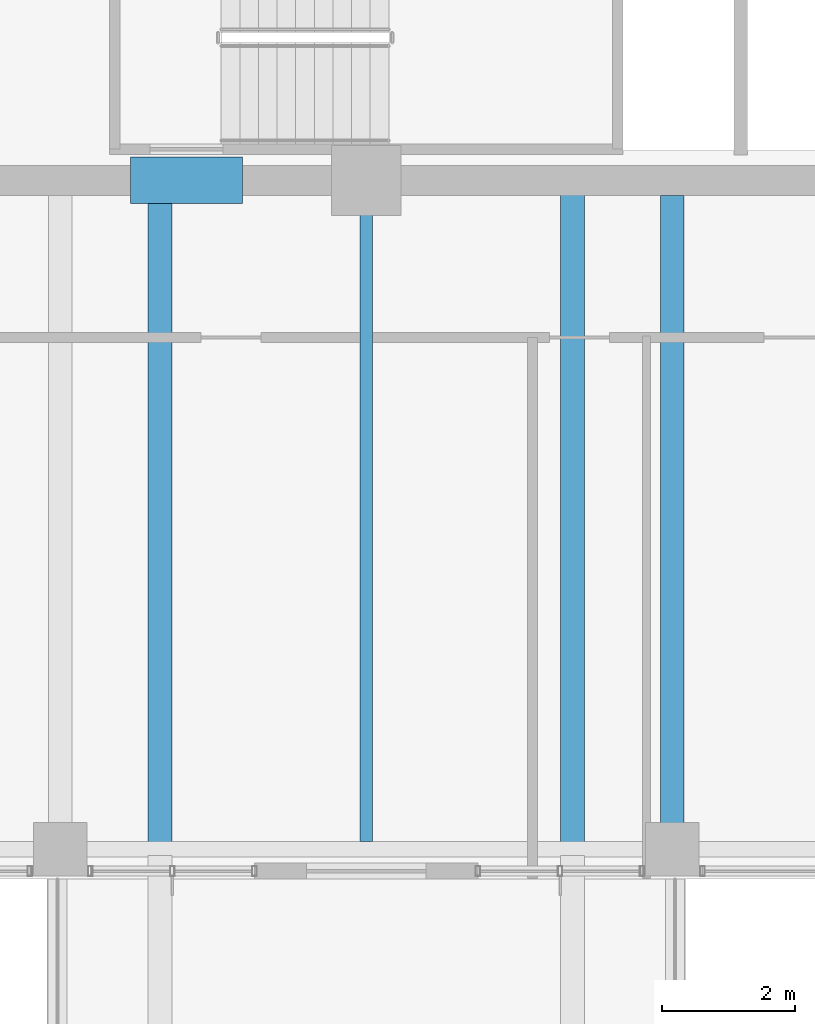
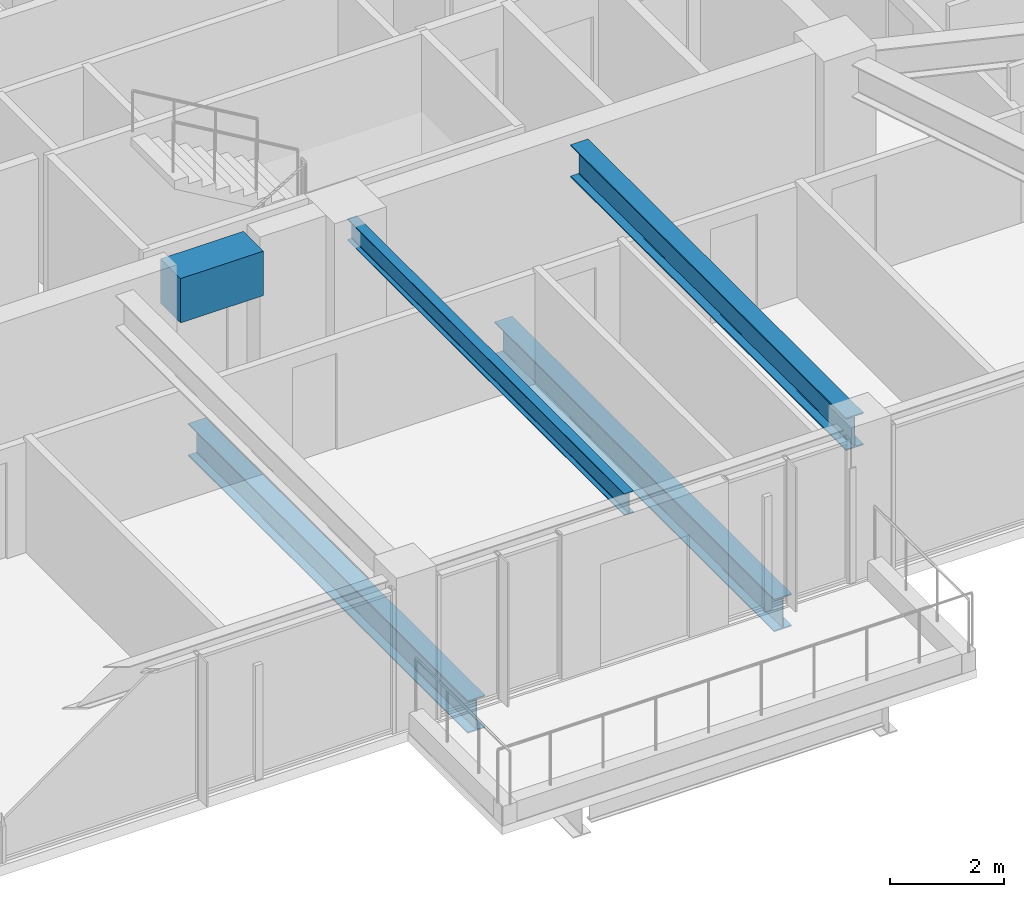
# One storey, part 8 of 36: 5 beams.
"""IFC4 building model written with IfcOpenShell, lengths in metres."""

from ifc_helpers import new_model, si_unit, direction, frame, origin, origin_2d, place, context, subcontext, project, spatial, rectangle, i_section, extrude, material, material_profile, profile_set, type_object, element, save


model = new_model("IFC4")

# Units and contexts
model_context = context("Model", 3, precision=1e-05, world=origin(), true_north=direction((0.0, 1.0)))
body_context = subcontext(model_context, "Body", "Model", "MODEL_VIEW")
ifc_project = project(units=[si_unit("LENGTHUNIT", "METRE"), si_unit("AREAUNIT", "SQUARE_METRE"), si_unit("VOLUMEUNIT", "CUBIC_METRE"), si_unit("PLANEANGLEUNIT", "RADIAN"), si_unit("MASSUNIT", "GRAM", prefix="KILO")], contexts=[model_context])

# Site, building, storey
site_placement = place(None, origin())
site = spatial("IfcSite", under=ifc_project, at=site_placement, CompositionType="ELEMENT")
building_placement = place(site_placement, origin())
building = spatial("IfcBuilding", under=site, at=building_placement, Name="Kolvaren Belvedere", CompositionType="ELEMENT")
storey_placement = place(building_placement, frame((0.0, 0.0, 226.199951171875)))
storey = spatial("IfcBuildingStorey", under=building, at=storey_placement, Name="L66", CompositionType="ELEMENT", Elevation=226.199951171875)

# Beams
ifc_material_1 = material(Name="Structural steel ASTM A992 Grade 50", Category="steel")
ifc_material_profile_1 = material_profile(ifc_material_1, i_section(OverallWidth=0.35498046875, OverallDepth=0.696044921875, WebThickness=0.015380859375, FlangeThickness=0.02490234375, FilletRadius=0.02197265625, at=origin_2d()), Name="W27X146")
ifc_profile_set_1 = profile_set([ifc_material_profile_1], Name="Structural steel ASTM A992 Grade 50")
beam_type_1 = type_object("IfcBeamType", Name="BM-GIRD-W27X146", PredefinedType="BEAM", material=ifc_profile_set_1)
for number, where, z_axis, x_axis, name in (
    (1, (-3.10009765625, -10.06494140625, -0.56787109375), (0.0, -1.0, 0.0), (1.0, 0.0, 0.0), "L66 Balcony Interior Back-Span Girder SPIRAL-10-S-1"),
    (2, (3.10009765625, -10.06494140625, -0.56787109375), (0.0, -1.0, 0.0), (1.0, 0.0, 0.0), "L66 Balcony Interior Back-Span Girder SPIRAL-10-S-2"),
):
    element("IfcBeam", number, at=place(storey_placement, frame(where, z_axis=z_axis, x_axis=x_axis)), inside=storey, type_object=beam_type_1, Name=name, PredefinedType="BEAM", context=body_context, shape_type="SweptSolid", body=[
        extrude(i_section(OverallWidth=0.35498046875, OverallDepth=0.696044921875, WebThickness=0.015380859375, FlangeThickness=0.02490234375, FilletRadius=0.02197265625, at=origin_2d()), origin(), (0.0, 0.0, 1.0), 9.7900390625),
    ])
beam_1_placement = place(storey_placement, frame((4.60009765625, -10.125, 2.73193359375), z_axis=(0.0, -1.0, 0.0), x_axis=(1.0, 0.0, 0.0)))
element("IfcBeam", 3, at=beam_1_placement, inside=storey, type_object=beam_type_1, Name="L66 South Radial Girder P", PredefinedType="BEAM", context=body_context, shape_type="SweptSolid", body=[
    extrude(i_section(OverallWidth=0.35498046875, OverallDepth=0.696044921875, WebThickness=0.015380859375, FlangeThickness=0.02490234375, FilletRadius=0.02197265625, at=origin_2d()), origin(), (0.0, 0.0, 1.0), 9.64501953125),
])
ifc_material_2 = material(Name="Structural steel ASTM A992 Grade 50", Category="steel")
ifc_material_profile_2 = material_profile(ifc_material_2, i_section(OverallWidth=0.19091796875, OverallDepth=0.4599609375, WebThickness=0.010009765625, FlangeThickness=0.01611328125, FilletRadius=0.014892578125, at=origin_2d()), Name="W18X55")
ifc_profile_set_2 = profile_set([ifc_material_profile_2], Name="Structural steel ASTM A992 Grade 50")
beam_type_2 = type_object("IfcBeamType", Name="BM-JOIST-W18X55", PredefinedType="BEAM", material=ifc_profile_set_2)
beam_2_placement = place(storey_placement, frame((0.0, -10.125, 2.85009765625), z_axis=(0.0, -1.0, 0.0), x_axis=(1.0, 0.0, 0.0)))
element("IfcBeam", 4, at=beam_2_placement, inside=storey, type_object=beam_type_2, Name="L66 South Centre Floor Beam", PredefinedType="BEAM", context=body_context, shape_type="SweptSolid", body=[
    extrude(i_section(OverallWidth=0.19091796875, OverallDepth=0.4599609375, WebThickness=0.010009765625, FlangeThickness=0.01611328125, FilletRadius=0.014892578125, at=origin_2d()), origin(), (0.0, 0.0, 1.0), 9.71044921875),
])
ifc_material_3 = material(Name="Concrete C60/75", Category="concrete")
ifc_material_profile_3 = material_profile(ifc_material_3, rectangle(XDim=0.699951171875, YDim=0.949951171875, at=origin_2d()), Name="RC 700X950")
ifc_profile_set_3 = profile_set([ifc_material_profile_3], Name="Concrete C60/75")
beam_type_3 = type_object("IfcBeamType", Name="BM-LINT-950", PredefinedType="LINTEL", material=ifc_profile_set_3)
beam_3_placement = place(storey_placement, frame((-3.5400390625, -9.89990234375, 2.60498046875), z_axis=(1.0, 0.0, 0.0), x_axis=(0.0, 1.0, 0.0)))
element("IfcBeam", 5, at=beam_3_placement, inside=storey, type_object=beam_type_3, Name="L66 South Core Coupling Lintel", PredefinedType="LINTEL", context=body_context, shape_type="SweptSolid", body=[
    extrude(rectangle(XDim=0.699951171875, YDim=0.949951171875, at=origin_2d()), origin(), (0.0, 0.0, 1.0), 1.679931640625),
])

save(model, "model.ifc")
